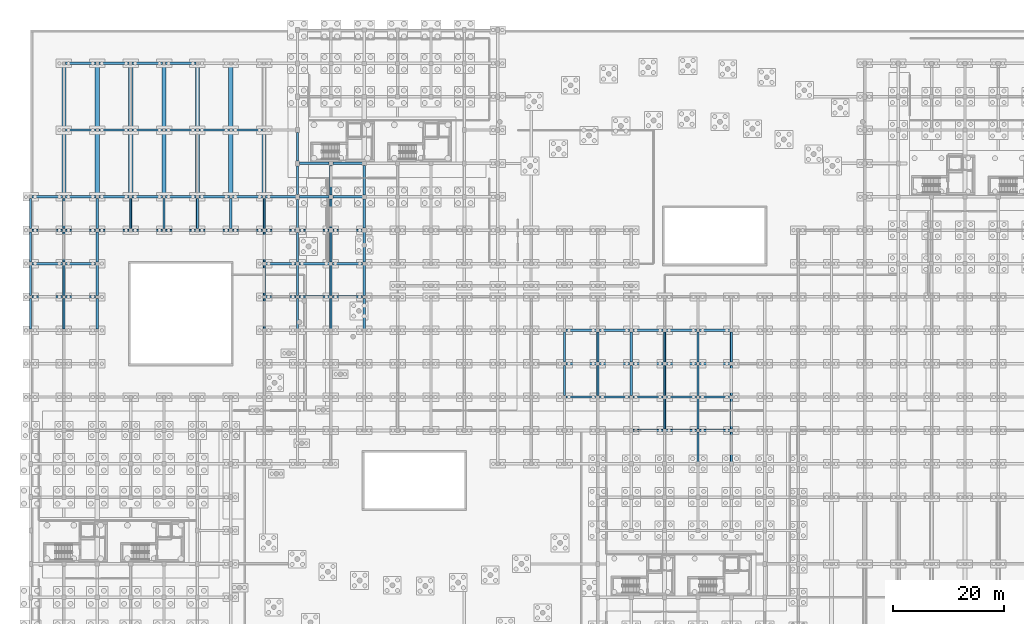
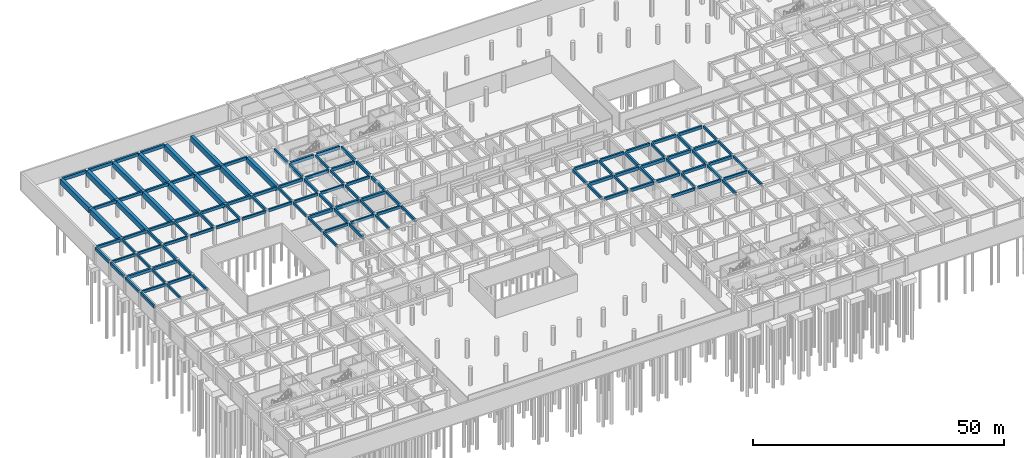
# One storey, part 18 of 41: 126 beams.
"""IFC4 building model written with IfcOpenShell, lengths in metres."""

import ifcopenshell
import ifcopenshell.guid

model = None  # the IFC model being written
_history = None  # IfcOwnerHistory: only IFC2X3 demands one
_inside = {}  # id of a spatial element -> (the spatial element, [elements in it])
_under = {}  # id of a project, library or spatial element -> (it, [spatial elements below it])
_declared = {}  # id of a project -> (the project, [libraries it declares])
_typed = {}  # id of a type object -> (the type object, [elements of that type])
_made_of = {}  # id of a material, layer set ... -> (it, [elements and type objects made of it])


def new_model(schema):
    """Start an empty IFC model of exactly this schema.

    Asked for "IFC4X3", IfcOpenShell would pick the latest addendum, in which some entities
    have other attributes; the version numbers below select the first issue.
    IFC2X3 requires an IfcOwnerHistory on every rooted entity: one is made here for all.
    """
    global model, _history
    if schema == "IFC4X3":
        model = ifcopenshell.file(schema_version=(4, 3, 0, 0))
    else:
        model = ifcopenshell.file(schema=schema)
    _inside.clear()
    _under.clear()
    _declared.clear()
    _typed.clear()
    _made_of.clear()
    _history = None
    if model.schema == "IFC2X3":
        org = make("IfcOrganization", Name="unknown")
        user = make(
            "IfcPersonAndOrganization",
            ThePerson=make("IfcPerson", FamilyName="unknown"),
            TheOrganization=org,
        )
        app = make(
            "IfcApplication",
            ApplicationDeveloper=org,
            Version="unknown",
            ApplicationFullName="unknown",
            ApplicationIdentifier="unknown",
        )
        _history = make(
            "IfcOwnerHistory",
            OwningUser=user,
            OwningApplication=app,
            ChangeAction="ADDED",
            CreationDate=0,
        )
    return model


def make(cls, **values):
    """One entity of the class cls with the attributes given. An attribute that is None is left unset."""
    return model.create_entity(
        cls, **{name: value for name, value in values.items() if value is not None}
    )


def rooted(cls, **values):
    """An entity with a GlobalId (a new one), such as an element, a storey or a relation."""
    return make(cls, GlobalId=ifcopenshell.guid.new(), OwnerHistory=_history, **values)


def si_unit(unit_type, name, prefix=None):
    """IfcSIUnit, for example si_unit("LENGTHUNIT", "METRE", prefix="MILLI")."""
    return make("IfcSIUnit", UnitType=unit_type, Prefix=prefix, Name=name)


def assignment(units):
    """IfcUnitAssignment: the units of a project."""
    return None if units is None else make("IfcUnitAssignment", Units=units)


def point(xyz):
    """IfcCartesianPoint."""
    return None if xyz is None else make("IfcCartesianPoint", Coordinates=xyz)


def direction(xyz):
    """IfcDirection."""
    return None if xyz is None else make("IfcDirection", DirectionRatios=xyz)


def frame(location, z_axis=None, x_axis=None):
    """IfcAxis2Placement3D, a coordinate frame: its origin and axes. An axis left out is left unset."""
    return make(
        "IfcAxis2Placement3D",
        Location=point(location),
        Axis=direction(z_axis),
        RefDirection=direction(x_axis),
    )


def frame_2d(location, x_axis=None):
    """IfcAxis2Placement2D, a coordinate frame in the plane: its origin and x axis."""
    return make(
        "IfcAxis2Placement2D", Location=point(location), RefDirection=direction(x_axis)
    )


def origin():
    """The frame at (0, 0, 0) with its axes left unset."""
    return frame((0.0, 0.0, 0.0))


def origin_2d():
    """The frame at (0, 0) in the plane with its x axis left unset."""
    return frame_2d((0.0, 0.0))


def place(relative_to, where):
    """IfcLocalPlacement: puts the frame where relative to a parent placement (None: the world)."""
    return make(
        "IfcLocalPlacement", PlacementRelTo=relative_to, RelativePlacement=where
    )


def context(
    kind, dimensions, precision=None, world=None, true_north=None, identifier=None
):
    """IfcGeometricRepresentationContext, for example the 3D "Model" context."""
    return make(
        "IfcGeometricRepresentationContext",
        ContextIdentifier=identifier,
        ContextType=kind,
        CoordinateSpaceDimension=dimensions,
        Precision=precision,
        WorldCoordinateSystem=world,
        TrueNorth=true_north,
    )


def subcontext(parent, identifier, kind, view, scale=None):
    """IfcGeometricRepresentationSubContext, for example "Body" below "Model"."""
    return make(
        "IfcGeometricRepresentationSubContext",
        ContextIdentifier=identifier,
        ContextType=kind,
        ParentContext=parent,
        TargetScale=scale,
        TargetView=view,
    )


def project(units=None, contexts=None):
    """IfcProject with its units and contexts."""
    return rooted(
        "IfcProject",
        Name="project",
        RepresentationContexts=contexts,
        UnitsInContext=assignment(units),
    )


def spatial(cls, under=None, at=None, **own):
    """A site, building, storey or space (cls), placed at a placement, below another one or the project."""
    s = rooted(cls, ObjectPlacement=at, **own)
    if under is not None:
        _under.setdefault(under.id(), (under, []))[1].append(s)
    return s


def profile(cls, at=None, kind="AREA", **sizes):
    """A parametric profile (cls). Its sizes go by their IFC names, for example OverallWidth=200.0."""
    return make(cls, ProfileType=kind, Position=at, **sizes)


def rectangle(**sizes):
    """IfcRectangleProfileDef."""
    return profile("IfcRectangleProfileDef", **sizes)


def extrude(swept, where, along, depth):
    """IfcExtrudedAreaSolid: the profile swept, set in the frame where, extruded along a direction by depth."""
    return make(
        "IfcExtrudedAreaSolid",
        SweptArea=swept,
        Position=where,
        ExtrudedDirection=direction(along),
        Depth=depth,
    )


def shape(context_of_items, identifier, shape_type, items):
    """IfcShapeRepresentation: the items that make up one representation, for example the "Body"."""
    return make(
        "IfcShapeRepresentation",
        ContextOfItems=context_of_items,
        RepresentationIdentifier=identifier,
        RepresentationType=shape_type,
        Items=items,
    )


def material(Name=None, Category=None):
    """IfcMaterial."""
    return make("IfcMaterial", Name=Name, Category=Category)


def material_profile(
    of_material, cross_section, Name=None, Category=None, Priority=None
):
    """IfcMaterialProfile: a cross section and its material."""
    return make(
        "IfcMaterialProfile",
        Name=Name,
        Material=of_material,
        Profile=cross_section,
        Priority=Priority,
        Category=Category,
    )


def profile_set(profiles, Name=None, composite=None):
    """IfcMaterialProfileSet."""
    return make(
        "IfcMaterialProfileSet",
        Name=Name,
        MaterialProfiles=profiles,
        CompositeProfile=composite,
    )


def made_of(thing, what):
    """Note that an element or type object is made of a material, layer set ...; save() writes the relation."""
    if what is not None:
        _made_of.setdefault(what.id(), (what, []))[1].append(thing)
    return thing


def type_object(cls, material=None, **own):
    """A type object (cls), such as IfcWallType, which elements share."""
    return made_of(rooted(cls, **own), material)


def element(
    cls,
    number,
    at=None,
    inside=None,
    cuts=None,
    type_object=None,
    material=None,
    context=None,
    identifier="Body",
    shape_type=None,
    held_by="IfcProductDefinitionShape",
    body=None,
    shapes=None,
    **own,
):
    """One element of the class cls, such as IfcWall. Its Tag is "e" and its number.

    at: its placement. inside: the storey or other place that contains it. cuts: it is an
    opening in that element (IfcRelVoidsElement). A single representation is given by context,
    identifier, shape_type and body (its items); several are given by shapes. held_by: the class
    of the entity that holds the representations. save() writes the other relations.
    """
    e = rooted(cls, Tag="e%d" % number, ObjectPlacement=at, **own)
    if body is not None:
        shapes = [shape(context, identifier, shape_type, body)]
    if shapes is not None:
        e.Representation = make(held_by, Representations=shapes)
    if inside is not None:
        _inside.setdefault(inside.id(), (inside, []))[1].append(e)
    if cuts is not None:
        rooted(
            "IfcRelVoidsElement", RelatingBuildingElement=cuts, RelatedOpeningElement=e
        )
    if type_object is not None:
        _typed.setdefault(type_object.id(), (type_object, []))[1].append(e)
    return made_of(e, material)


def aggregate(whole, parts):
    """IfcRelAggregates: a whole, such as a stair, and the parts it consists of."""
    return rooted("IfcRelAggregates", RelatingObject=whole, RelatedObjects=parts)


def save(model, path):
    """Write the relations noted so far, then the file.

    IfcRelAggregates (storeys below a building ...), IfcRelContainedInSpatialStructure (elements
    in a storey), IfcRelDefinesByType, IfcRelAssociatesMaterial and IfcRelDeclares: one each for
    every whole, place, type object, material and project.
    """
    for whole, parts in _under.values():
        aggregate(whole, parts)
    for where, things in _inside.values():
        rooted(
            "IfcRelContainedInSpatialStructure",
            RelatedElements=things,
            RelatingStructure=where,
        )
    for kind, things in _typed.values():
        rooted("IfcRelDefinesByType", RelatedObjects=things, RelatingType=kind)
    for what, things in _made_of.values():
        rooted("IfcRelAssociatesMaterial", RelatedObjects=things, RelatingMaterial=what)
    for by, libraries in _declared.values():
        rooted("IfcRelDeclares", RelatingContext=by, RelatedDefinitions=libraries)
    model.write(path)


model = new_model("IFC4")

# Units and contexts
model_context = context("Model", 3, precision=1e-05, world=origin(), true_north=direction((0.0, 1.0)))
body_context = subcontext(model_context, "Body", "Model", "MODEL_VIEW")
ifc_project = project(units=[si_unit("LENGTHUNIT", "METRE"), si_unit("AREAUNIT", "SQUARE_METRE"), si_unit("VOLUMEUNIT", "CUBIC_METRE"), si_unit("PLANEANGLEUNIT", "RADIAN"), si_unit("MASSUNIT", "GRAM", prefix="KILO"), si_unit("POWERUNIT", "WATT"), si_unit("THERMODYNAMICTEMPERATUREUNIT", "KELVIN")], contexts=[model_context])

# Site, building, storey
site_placement = place(None, origin())
site = spatial("IfcSite", under=ifc_project, at=site_placement, CompositionType="ELEMENT")
building_placement = place(site_placement, origin())
building = spatial("IfcBuilding", under=site, at=building_placement, Name="Ruvembo Vaulted Housing Court", CompositionType="ELEMENT")
storey_placement = place(building_placement, frame((0.0, 0.0, -4.5)))
storey = spatial("IfcBuildingStorey", under=building, at=storey_placement, Name="B1", CompositionType="ELEMENT", Elevation=-4.5)

# Beams
ifc_material_1 = material(Name="Concrete C35/45", Category="concrete")
ifc_material_profile_1 = material_profile(ifc_material_1, rectangle(XDim=0.35009765625, YDim=0.60009765625, at=origin_2d()), Name="RC 350x600")
ifc_profile_set_1 = profile_set([ifc_material_profile_1], Name="Concrete C35/45")
beam_type_1 = type_object("IfcBeamType", Name="BM-RC-350x600", PredefinedType="BEAM", material=ifc_profile_set_1)
beam_1_placement = place(storey_placement, frame((6.0, 60.235107421875, 3.9150390625), z_axis=(0.0, 1.0, 0.0), x_axis=(-1.0, 0.0, 0.0)))
element("IfcBeam", 1, at=beam_1_placement, inside=storey, type_object=beam_type_1, Name="B1 Grid Beam Y #398", PredefinedType="BEAM", context=body_context, shape_type="SweptSolid", body=[
    extrude(rectangle(XDim=0.35009765625, YDim=0.60009765625, at=origin_2d()), origin(), (0.0, 0.0, 1.0), 5.47998046875),
])
for number, where, z_axis, x_axis, name in (
    (2, (6.0, 66.284912109375, 3.9150390625), (0.0, 1.0, 0.0), (-1.0, 0.0, 0.0), "B1 Grid Beam Y #399"),
    (3, (6.0, 72.284912109375, 3.9150390625), (0.0, 1.0, 0.0), (-1.0, 0.0, 0.0), "B1 Grid Beam Y #400"),
):
    element("IfcBeam", number, at=place(storey_placement, frame(where, z_axis=z_axis, x_axis=x_axis)), inside=storey, type_object=beam_type_1, Name=name, PredefinedType="BEAM", context=body_context, shape_type="SweptSolid", body=[
        extrude(rectangle(XDim=0.35009765625, YDim=0.60009765625, at=origin_2d()), origin(), (0.0, 0.0, 1.0), 5.43017578125),
    ])
for number, where, z_axis, x_axis, name in (
    (4, (6.0, 78.284912109375, 3.9150390625), (0.0, 1.0, 0.0), (-1.0, 0.0, 0.0), "B1 Grid Beam Y #401"),
    (5, (18.0, 78.284912109375, 3.9150390625), (0.0, 1.0, 0.0), (-1.0, 0.0, 0.0), "B1 Grid Beam Y #423"),
    (6, (30.0, 78.284912109375, 3.9150390625), (0.0, 1.0, 0.0), (-1.0, 0.0, 0.0), "B1 Grid Beam Y #441"),
):
    element("IfcBeam", number, at=place(storey_placement, frame(where, z_axis=z_axis, x_axis=x_axis)), inside=storey, type_object=beam_type_1, Name=name, PredefinedType="BEAM", context=body_context, shape_type="SweptSolid", body=[
        extrude(rectangle(XDim=0.35009765625, YDim=0.60009765625, at=origin_2d()), origin(), (0.0, 0.0, 1.0), 5.455078125),
    ])
for number, where, z_axis, x_axis, name in (
    (7, (42.0, 60.284912109375, 3.9150390625), (0.0, 1.0, 0.0), (-1.0, 0.0, 0.0), "B1 Grid Beam Y #458"),
    (8, (42.0, 66.284912109375, 3.9150390625), (0.0, 1.0, 0.0), (-1.0, 0.0, 0.0), "B1 Grid Beam Y #459"),
    (9, (42.0, 72.284912109375, 3.9150390625), (0.0, 1.0, 0.0), (-1.0, 0.0, 0.0), "B1 Grid Beam Y #460"),
):
    element("IfcBeam", number, at=place(storey_placement, frame(where, z_axis=z_axis, x_axis=x_axis)), inside=storey, type_object=beam_type_1, Name=name, PredefinedType="BEAM", context=body_context, shape_type="SweptSolid", body=[
        extrude(rectangle(XDim=0.35009765625, YDim=0.60009765625, at=origin_2d()), origin(), (0.0, 0.0, 1.0), 5.43017578125),
    ])
beam_2_placement = place(storey_placement, frame((42.0, 78.284912109375, 3.9150390625), z_axis=(0.0, 1.0, 0.0), x_axis=(-1.0, 0.0, 0.0)))
element("IfcBeam", 10, at=beam_2_placement, inside=storey, type_object=beam_type_1, Name="B1 Grid Beam Y #461", PredefinedType="BEAM", context=body_context, shape_type="SweptSolid", body=[
    extrude(rectangle(XDim=0.35009765625, YDim=0.60009765625, at=origin_2d()), origin(), (0.0, 0.0, 1.0), 5.455078125),
])
for number, where, z_axis, x_axis, name in (
    (11, (54.0, 60.284912109375, 3.9150390625), (0.0, 1.0, 0.0), (-1.0, 0.0, 0.0), "B1 Grid Beam Y #481"),
    (12, (54.0, 66.284912109375, 3.9150390625), (0.0, 1.0, 0.0), (-1.0, 0.0, 0.0), "B1 Grid Beam Y #482"),
):
    element("IfcBeam", number, at=place(storey_placement, frame(where, z_axis=z_axis, x_axis=x_axis)), inside=storey, type_object=beam_type_1, Name=name, PredefinedType="BEAM", context=body_context, shape_type="SweptSolid", body=[
        extrude(rectangle(XDim=0.35009765625, YDim=0.60009765625, at=origin_2d()), origin(), (0.0, 0.0, 1.0), 5.43017578125),
    ])
beam_3_placement = place(storey_placement, frame((54.0, 72.284912109375, 3.9150390625), z_axis=(0.0, 1.0, 0.0), x_axis=(-1.0, 0.0, 0.0)))
element("IfcBeam", 13, at=beam_3_placement, inside=storey, type_object=beam_type_1, Name="B1 Grid Beam Y #483", PredefinedType="BEAM", context=body_context, shape_type="SweptSolid", body=[
    extrude(rectangle(XDim=0.35009765625, YDim=0.60009765625, at=origin_2d()), origin(), (0.0, 0.0, 1.0), 5.35498046875),
])
for number, where, z_axis, x_axis, name in (
    (14, (54.0, 78.360107421875, 3.9150390625), (0.0, 1.0, 0.0), (-1.0, 0.0, 0.0), "B1 Grid Beam Y #484"),
    (15, (54.0, 84.360107421875, 3.9150390625), (0.0, 1.0, 0.0), (-1.0, 0.0, 0.0), "B1 Grid Beam Y #485"),
):
    element("IfcBeam", number, at=place(storey_placement, frame(where, z_axis=z_axis, x_axis=x_axis)), inside=storey, type_object=beam_type_1, Name=name, PredefinedType="BEAM", context=body_context, shape_type="SweptSolid", body=[
        extrude(rectangle(XDim=0.35009765625, YDim=0.60009765625, at=origin_2d()), origin(), (0.0, 0.0, 1.0), 5.27978515625),
    ])
for number, where, z_axis, x_axis, name in (
    (16, (102.0, 48.284912109375, 3.9150390625), (0.0, 1.0, 0.0), (-1.0, 0.0, 0.0), "B1 Grid Beam Y #560"),
    (17, (102.0, 54.284912109375, 3.9150390625), (0.0, 1.0, 0.0), (-1.0, 0.0, 0.0), "B1 Grid Beam Y #561"),
    (18, (114.0, 42.284912109375, 3.9150390625), (0.0, 1.0, 0.0), (-1.0, 0.0, 0.0), "B1 Grid Beam Y #580"),
    (19, (114.0, 48.284912109375, 3.9150390625), (0.0, 1.0, 0.0), (-1.0, 0.0, 0.0), "B1 Grid Beam Y #581"),
    (20, (114.0, 54.284912109375, 3.9150390625), (0.0, 1.0, 0.0), (-1.0, 0.0, 0.0), "B1 Grid Beam Y #582"),
):
    element("IfcBeam", number, at=place(storey_placement, frame(where, z_axis=z_axis, x_axis=x_axis)), inside=storey, type_object=beam_type_1, Name=name, PredefinedType="BEAM", context=body_context, shape_type="SweptSolid", body=[
        extrude(rectangle(XDim=0.35009765625, YDim=0.60009765625, at=origin_2d()), origin(), (0.0, 0.0, 1.0), 5.43017578125),
    ])
beam_4_placement = place(storey_placement, frame((126.0, 36.360107421875, 3.9150390625), z_axis=(0.0, 1.0, 0.0), x_axis=(-1.0, 0.0, 0.0)))
element("IfcBeam", 21, at=beam_4_placement, inside=storey, type_object=beam_type_1, Name="B1 Grid Beam Y #597", PredefinedType="BEAM", context=body_context, shape_type="SweptSolid", body=[
    extrude(rectangle(XDim=0.35009765625, YDim=0.60009765625, at=origin_2d()), origin(), (0.0, 0.0, 1.0), 5.35498046875),
])
for number, where, z_axis, x_axis, name in (
    (22, (126.0, 42.284912109375, 3.9150390625), (0.0, 1.0, 0.0), (-1.0, 0.0, 0.0), "B1 Grid Beam Y #598"),
    (23, (126.0, 48.284912109375, 3.9150390625), (0.0, 1.0, 0.0), (-1.0, 0.0, 0.0), "B1 Grid Beam Y #599"),
    (24, (126.0, 54.284912109375, 3.9150390625), (0.0, 1.0, 0.0), (-1.0, 0.0, 0.0), "B1 Grid Beam Y #600"),
):
    element("IfcBeam", number, at=place(storey_placement, frame(where, z_axis=z_axis, x_axis=x_axis)), inside=storey, type_object=beam_type_1, Name=name, PredefinedType="BEAM", context=body_context, shape_type="SweptSolid", body=[
        extrude(rectangle(XDim=0.35009765625, YDim=0.60009765625, at=origin_2d()), origin(), (0.0, 0.0, 1.0), 5.43017578125),
    ])
ifc_material_profile_2 = material_profile(ifc_material_1, rectangle(XDim=0.35009765625, YDim=0.64990234375, at=origin_2d()), Name="RC 350x650")
ifc_profile_set_2 = profile_set([ifc_material_profile_2], Name="Concrete C35/45")
beam_type_2 = type_object("IfcBeamType", Name="BM-RC-350x650", PredefinedType="BEAM", material=ifc_profile_set_2)
beam_5_placement = place(storey_placement, frame((108.31005859375, 42.0, 3.889892578125), z_axis=(1.0, 0.0, 0.0), x_axis=(0.0, 1.0, 0.0)))
element("IfcBeam", 25, at=beam_5_placement, inside=storey, type_object=beam_type_2, Name="B1 Grid Beam X #125", PredefinedType="BEAM", context=body_context, shape_type="SweptSolid", body=[
    extrude(rectangle(XDim=0.35009765625, YDim=0.64990234375, at=origin_2d()), origin(), (0.0, 0.0, 1.0), 5.405029296875),
])
for number, where, z_axis, x_axis, name in (
    (26, (114.284912109375, 42.0, 3.889892578125), (1.0, 0.0, 0.0), (0.0, 1.0, 0.0), "B1 Grid Beam X #126"),
    (27, (120.284912109375, 42.0, 3.889892578125), (1.0, 0.0, 0.0), (0.0, 1.0, 0.0), "B1 Grid Beam X #127"),
    (28, (0.284912109375, 66.0, 3.889892578125), (1.0, 0.0, 0.0), (0.0, 1.0, 0.0), "B1 Grid Beam X #221"),
    (29, (6.284912109375, 66.0, 3.889892578125), (1.0, 0.0, 0.0), (0.0, 1.0, 0.0), "B1 Grid Beam X #222"),
    (30, (42.284912109375, 66.0, 3.889892578125), (1.0, 0.0, 0.0), (0.0, 1.0, 0.0), "B1 Grid Beam X #223"),
    (31, (48.284912109375, 66.0, 3.889892578125), (1.0, 0.0, 0.0), (0.0, 1.0, 0.0), "B1 Grid Beam X #224"),
    (32, (54.284912109375, 66.0, 3.889892578125), (1.0, 0.0, 0.0), (0.0, 1.0, 0.0), "B1 Grid Beam X #225"),
    (33, (0.284912109375, 78.0, 3.889892578125), (1.0, 0.0, 0.0), (0.0, 1.0, 0.0), "B1 Grid Beam X #274"),
    (34, (6.284912109375, 78.0, 3.889892578125), (1.0, 0.0, 0.0), (0.0, 1.0, 0.0), "B1 Grid Beam X #275"),
    (35, (12.284912109375, 78.0, 3.889892578125), (1.0, 0.0, 0.0), (0.0, 1.0, 0.0), "B1 Grid Beam X #276"),
    (36, (18.284912109375, 78.0, 3.889892578125), (1.0, 0.0, 0.0), (0.0, 1.0, 0.0), "B1 Grid Beam X #277"),
    (37, (24.284912109375, 78.0, 3.889892578125), (1.0, 0.0, 0.0), (0.0, 1.0, 0.0), "B1 Grid Beam X #278"),
    (38, (30.284912109375, 78.0, 3.889892578125), (1.0, 0.0, 0.0), (0.0, 1.0, 0.0), "B1 Grid Beam X #279"),
    (39, (36.284912109375, 78.0, 3.889892578125), (1.0, 0.0, 0.0), (0.0, 1.0, 0.0), "B1 Grid Beam X #280"),
):
    element("IfcBeam", number, at=place(storey_placement, frame(where, z_axis=z_axis, x_axis=x_axis)), inside=storey, type_object=beam_type_2, Name=name, PredefinedType="BEAM", context=body_context, shape_type="SweptSolid", body=[
        extrude(rectangle(XDim=0.35009765625, YDim=0.64990234375, at=origin_2d()), origin(), (0.0, 0.0, 1.0), 5.43017578125),
    ])
beam_6_placement = place(storey_placement, frame((42.284912109375, 78.0, 3.889892578125), z_axis=(1.0, 0.0, 0.0), x_axis=(0.0, 1.0, 0.0)))
element("IfcBeam", 40, at=beam_6_placement, inside=storey, type_object=beam_type_2, Name="B1 Grid Beam X #281", PredefinedType="BEAM", context=body_context, shape_type="SweptSolid", body=[
    extrude(rectangle(XDim=0.35009765625, YDim=0.64990234375, at=origin_2d()), origin(), (0.0, 0.0, 1.0), 5.405029296875),
])
beam_7_placement = place(storey_placement, frame((48.31005859375, 78.0, 3.889892578125), z_axis=(1.0, 0.0, 0.0), x_axis=(0.0, 1.0, 0.0)))
element("IfcBeam", 41, at=beam_7_placement, inside=storey, type_object=beam_type_2, Name="B1 Grid Beam X #282", PredefinedType="BEAM", context=body_context, shape_type="SweptSolid", body=[
    extrude(rectangle(XDim=0.35009765625, YDim=0.64990234375, at=origin_2d()), origin(), (0.0, 0.0, 1.0), 5.329833984375),
])
beam_8_placement = place(storey_placement, frame((54.360107421875, 78.0, 3.889892578125), z_axis=(1.0, 0.0, 0.0), x_axis=(0.0, 1.0, 0.0)))
element("IfcBeam", 42, at=beam_8_placement, inside=storey, type_object=beam_type_2, Name="B1 Grid Beam X #283", PredefinedType="BEAM", context=body_context, shape_type="SweptSolid", body=[
    extrude(rectangle(XDim=0.35009765625, YDim=0.64990234375, at=origin_2d()), origin(), (0.0, 0.0, 1.0), 5.27978515625),
])
ifc_material_profile_3 = material_profile(ifc_material_1, rectangle(XDim=0.39990234375, YDim=0.699951171875, at=origin_2d()), Name="RC 400x700")
ifc_profile_set_3 = profile_set([ifc_material_profile_3], Name="Concrete C35/45")
beam_type_3 = type_object("IfcBeamType", Name="BM-RC-400x700", PredefinedType="BEAM", material=ifc_profile_set_3)
beam_9_placement = place(storey_placement, frame((96.284912109375, 48.0, 3.864990234375), z_axis=(1.0, 0.0, 0.0), x_axis=(0.0, 1.0, 0.0)))
element("IfcBeam", 43, at=beam_9_placement, inside=storey, type_object=beam_type_3, Name="B1 Grid Beam X #154", PredefinedType="BEAM", context=body_context, shape_type="SweptSolid", body=[
    extrude(rectangle(XDim=0.39990234375, YDim=0.699951171875, at=origin_2d()), origin(), (0.0, 0.0, 1.0), 5.43017578125),
])
for number, where, z_axis, x_axis, name in (
    (44, (102.284912109375, 48.0, 3.864990234375), (1.0, 0.0, 0.0), (0.0, 1.0, 0.0), "B1 Grid Beam X #155"),
    (45, (108.31005859375, 48.0, 3.864990234375), (1.0, 0.0, 0.0), (0.0, 1.0, 0.0), "B1 Grid Beam X #156"),
):
    element("IfcBeam", number, at=place(storey_placement, frame(where, z_axis=z_axis, x_axis=x_axis)), inside=storey, type_object=beam_type_3, Name=name, PredefinedType="BEAM", context=body_context, shape_type="SweptSolid", body=[
        extrude(rectangle(XDim=0.39990234375, YDim=0.699951171875, at=origin_2d()), origin(), (0.0, 0.0, 1.0), 5.405029296875),
    ])
for number, where, z_axis, x_axis, name in (
    (46, (114.284912109375, 48.0, 3.864990234375), (1.0, 0.0, 0.0), (0.0, 1.0, 0.0), "B1 Grid Beam X #157"),
    (47, (120.284912109375, 48.0, 3.864990234375), (1.0, 0.0, 0.0), (0.0, 1.0, 0.0), "B1 Grid Beam X #158"),
    (48, (96.284912109375, 60.0, 3.864990234375), (1.0, 0.0, 0.0), (0.0, 1.0, 0.0), "B1 Grid Beam X #206"),
):
    element("IfcBeam", number, at=place(storey_placement, frame(where, z_axis=z_axis, x_axis=x_axis)), inside=storey, type_object=beam_type_3, Name=name, PredefinedType="BEAM", context=body_context, shape_type="SweptSolid", body=[
        extrude(rectangle(XDim=0.39990234375, YDim=0.699951171875, at=origin_2d()), origin(), (0.0, 0.0, 1.0), 5.43017578125),
    ])
for number, where, z_axis, x_axis, name in (
    (49, (102.284912109375, 60.0, 3.864990234375), (1.0, 0.0, 0.0), (0.0, 1.0, 0.0), "B1 Grid Beam X #207"),
    (50, (108.31005859375, 60.0, 3.864990234375), (1.0, 0.0, 0.0), (0.0, 1.0, 0.0), "B1 Grid Beam X #208"),
):
    element("IfcBeam", number, at=place(storey_placement, frame(where, z_axis=z_axis, x_axis=x_axis)), inside=storey, type_object=beam_type_3, Name=name, PredefinedType="BEAM", context=body_context, shape_type="SweptSolid", body=[
        extrude(rectangle(XDim=0.39990234375, YDim=0.699951171875, at=origin_2d()), origin(), (0.0, 0.0, 1.0), 5.405029296875),
    ])
for number, where, z_axis, x_axis, name in (
    (51, (114.284912109375, 60.0, 3.864990234375), (1.0, 0.0, 0.0), (0.0, 1.0, 0.0), "B1 Grid Beam X #209"),
    (52, (120.284912109375, 60.0, 3.864990234375), (1.0, 0.0, 0.0), (0.0, 1.0, 0.0), "B1 Grid Beam X #210"),
):
    element("IfcBeam", number, at=place(storey_placement, frame(where, z_axis=z_axis, x_axis=x_axis)), inside=storey, type_object=beam_type_3, Name=name, PredefinedType="BEAM", context=body_context, shape_type="SweptSolid", body=[
        extrude(rectangle(XDim=0.39990234375, YDim=0.699951171875, at=origin_2d()), origin(), (0.0, 0.0, 1.0), 5.43017578125),
    ])
beam_10_placement = place(storey_placement, frame((0.284912109375, 84.0, 3.864990234375), z_axis=(1.0, 0.0, 0.0), x_axis=(0.0, 1.0, 0.0)))
element("IfcBeam", 53, at=beam_10_placement, inside=storey, type_object=beam_type_3, Name="B1 Grid Beam X #300", PredefinedType="BEAM", context=body_context, shape_type="SweptSolid", body=[
    extrude(rectangle(XDim=0.39990234375, YDim=0.699951171875, at=origin_2d()), origin(), (0.0, 0.0, 1.0), 5.455078125),
])
for number, where, z_axis, x_axis, name in (
    (54, (6.260009765625, 84.0, 3.864990234375), (1.0, 0.0, 0.0), (0.0, 1.0, 0.0), "B1 Grid Beam X #301"),
    (55, (12.260009765625, 84.0, 3.864990234375), (1.0, 0.0, 0.0), (0.0, 1.0, 0.0), "B1 Grid Beam X #302"),
    (56, (18.260009765625, 84.0, 3.864990234375), (1.0, 0.0, 0.0), (0.0, 1.0, 0.0), "B1 Grid Beam X #303"),
    (57, (24.260009765625, 84.0, 3.864990234375), (1.0, 0.0, 0.0), (0.0, 1.0, 0.0), "B1 Grid Beam X #304"),
    (58, (30.260009765625, 84.0, 3.864990234375), (1.0, 0.0, 0.0), (0.0, 1.0, 0.0), "B1 Grid Beam X #305"),
    (59, (36.260009765625, 84.0, 3.864990234375), (1.0, 0.0, 0.0), (0.0, 1.0, 0.0), "B1 Grid Beam X #306"),
):
    element("IfcBeam", number, at=place(storey_placement, frame(where, z_axis=z_axis, x_axis=x_axis)), inside=storey, type_object=beam_type_3, Name=name, PredefinedType="BEAM", context=body_context, shape_type="SweptSolid", body=[
        extrude(rectangle(XDim=0.39990234375, YDim=0.699951171875, at=origin_2d()), origin(), (0.0, 0.0, 1.0), 5.47998046875),
    ])
beam_11_placement = place(storey_placement, frame((42.260009765625, 84.0, 3.864990234375), z_axis=(1.0, 0.0, 0.0), x_axis=(0.0, 1.0, 0.0)))
element("IfcBeam", 60, at=beam_11_placement, inside=storey, type_object=beam_type_3, Name="B1 Grid Beam X #307", PredefinedType="BEAM", context=body_context, shape_type="SweptSolid", body=[
    extrude(rectangle(XDim=0.39990234375, YDim=0.699951171875, at=origin_2d()), origin(), (0.0, 0.0, 1.0), 5.429931640625),
])
beam_12_placement = place(storey_placement, frame((48.31005859375, 84.0, 3.864990234375), z_axis=(1.0, 0.0, 0.0), x_axis=(0.0, 1.0, 0.0)))
element("IfcBeam", 61, at=beam_12_placement, inside=storey, type_object=beam_type_3, Name="B1 Grid Beam X #308", PredefinedType="BEAM", context=body_context, shape_type="SweptSolid", body=[
    extrude(rectangle(XDim=0.39990234375, YDim=0.699951171875, at=origin_2d()), origin(), (0.0, 0.0, 1.0), 5.329833984375),
])
beam_13_placement = place(storey_placement, frame((54.360107421875, 84.0, 3.864990234375), z_axis=(1.0, 0.0, 0.0), x_axis=(0.0, 1.0, 0.0)))
element("IfcBeam", 62, at=beam_13_placement, inside=storey, type_object=beam_type_3, Name="B1 Grid Beam X #309", PredefinedType="BEAM", context=body_context, shape_type="SweptSolid", body=[
    extrude(rectangle(XDim=0.39990234375, YDim=0.699951171875, at=origin_2d()), origin(), (0.0, 0.0, 1.0), 5.27978515625),
])
for number, where, z_axis, x_axis, name in (
    (63, (6.260009765625, 96.0, 3.864990234375), (1.0, 0.0, 0.0), (0.0, 1.0, 0.0), "B1 Grid Beam X #327"),
    (64, (12.260009765625, 96.0, 3.864990234375), (1.0, 0.0, 0.0), (0.0, 1.0, 0.0), "B1 Grid Beam X #328"),
    (65, (18.260009765625, 96.0, 3.864990234375), (1.0, 0.0, 0.0), (0.0, 1.0, 0.0), "B1 Grid Beam X #329"),
    (66, (24.260009765625, 96.0, 3.864990234375), (1.0, 0.0, 0.0), (0.0, 1.0, 0.0), "B1 Grid Beam X #330"),
    (67, (30.260009765625, 96.0, 3.864990234375), (1.0, 0.0, 0.0), (0.0, 1.0, 0.0), "B1 Grid Beam X #331"),
    (68, (36.260009765625, 96.0, 3.864990234375), (1.0, 0.0, 0.0), (0.0, 1.0, 0.0), "B1 Grid Beam X #332"),
    (69, (0.0, 60.235107421875, 3.864990234375), (0.0, 1.0, 0.0), (-1.0, 0.0, 0.0), "B1 Grid Beam Y #387"),
):
    element("IfcBeam", number, at=place(storey_placement, frame(where, z_axis=z_axis, x_axis=x_axis)), inside=storey, type_object=beam_type_3, Name=name, PredefinedType="BEAM", context=body_context, shape_type="SweptSolid", body=[
        extrude(rectangle(XDim=0.39990234375, YDim=0.699951171875, at=origin_2d()), origin(), (0.0, 0.0, 1.0), 5.47998046875),
    ])
for number, where, z_axis, x_axis, name in (
    (70, (0.0, 66.284912109375, 3.864990234375), (0.0, 1.0, 0.0), (-1.0, 0.0, 0.0), "B1 Grid Beam Y #388"),
    (71, (0.0, 72.284912109375, 3.864990234375), (0.0, 1.0, 0.0), (-1.0, 0.0, 0.0), "B1 Grid Beam Y #389"),
    (72, (0.0, 78.284912109375, 3.864990234375), (0.0, 1.0, 0.0), (-1.0, 0.0, 0.0), "B1 Grid Beam Y #390"),
):
    element("IfcBeam", number, at=place(storey_placement, frame(where, z_axis=z_axis, x_axis=x_axis)), inside=storey, type_object=beam_type_3, Name=name, PredefinedType="BEAM", context=body_context, shape_type="SweptSolid", body=[
        extrude(rectangle(XDim=0.39990234375, YDim=0.699951171875, at=origin_2d()), origin(), (0.0, 0.0, 1.0), 5.43017578125),
    ])
beam_14_placement = place(storey_placement, frame((12.0, 60.235107421875, 3.864990234375), z_axis=(0.0, 1.0, 0.0), x_axis=(-1.0, 0.0, 0.0)))
element("IfcBeam", 73, at=beam_14_placement, inside=storey, type_object=beam_type_3, Name="B1 Grid Beam Y #412", PredefinedType="BEAM", context=body_context, shape_type="SweptSolid", body=[
    extrude(rectangle(XDim=0.39990234375, YDim=0.699951171875, at=origin_2d()), origin(), (0.0, 0.0, 1.0), 5.47998046875),
])
for number, where, z_axis, x_axis, name in (
    (74, (12.0, 66.284912109375, 3.864990234375), (0.0, 1.0, 0.0), (-1.0, 0.0, 0.0), "B1 Grid Beam Y #413"),
    (75, (12.0, 72.284912109375, 3.864990234375), (0.0, 1.0, 0.0), (-1.0, 0.0, 0.0), "B1 Grid Beam Y #414"),
):
    element("IfcBeam", number, at=place(storey_placement, frame(where, z_axis=z_axis, x_axis=x_axis)), inside=storey, type_object=beam_type_3, Name=name, PredefinedType="BEAM", context=body_context, shape_type="SweptSolid", body=[
        extrude(rectangle(XDim=0.39990234375, YDim=0.699951171875, at=origin_2d()), origin(), (0.0, 0.0, 1.0), 5.43017578125),
    ])
for number, where, z_axis, x_axis, name in (
    (76, (12.0, 78.284912109375, 3.864990234375), (0.0, 1.0, 0.0), (-1.0, 0.0, 0.0), "B1 Grid Beam Y #415"),
    (77, (24.0, 78.284912109375, 3.864990234375), (0.0, 1.0, 0.0), (-1.0, 0.0, 0.0), "B1 Grid Beam Y #431"),
    (78, (36.0, 78.284912109375, 3.864990234375), (0.0, 1.0, 0.0), (-1.0, 0.0, 0.0), "B1 Grid Beam Y #451"),
):
    element("IfcBeam", number, at=place(storey_placement, frame(where, z_axis=z_axis, x_axis=x_axis)), inside=storey, type_object=beam_type_3, Name=name, PredefinedType="BEAM", context=body_context, shape_type="SweptSolid", body=[
        extrude(rectangle(XDim=0.39990234375, YDim=0.699951171875, at=origin_2d()), origin(), (0.0, 0.0, 1.0), 5.455078125),
    ])
for number, where, z_axis, x_axis, name in (
    (79, (48.0, 60.284912109375, 3.864990234375), (0.0, 1.0, 0.0), (-1.0, 0.0, 0.0), "B1 Grid Beam Y #468"),
    (80, (48.0, 66.284912109375, 3.864990234375), (0.0, 1.0, 0.0), (-1.0, 0.0, 0.0), "B1 Grid Beam Y #469"),
):
    element("IfcBeam", number, at=place(storey_placement, frame(where, z_axis=z_axis, x_axis=x_axis)), inside=storey, type_object=beam_type_3, Name=name, PredefinedType="BEAM", context=body_context, shape_type="SweptSolid", body=[
        extrude(rectangle(XDim=0.39990234375, YDim=0.699951171875, at=origin_2d()), origin(), (0.0, 0.0, 1.0), 5.43017578125),
    ])
beam_15_placement = place(storey_placement, frame((48.0, 72.284912109375, 3.864990234375), z_axis=(0.0, 1.0, 0.0), x_axis=(-1.0, 0.0, 0.0)))
element("IfcBeam", 81, at=beam_15_placement, inside=storey, type_object=beam_type_3, Name="B1 Grid Beam Y #470", PredefinedType="BEAM", context=body_context, shape_type="SweptSolid", body=[
    extrude(rectangle(XDim=0.39990234375, YDim=0.699951171875, at=origin_2d()), origin(), (0.0, 0.0, 1.0), 5.280029296875),
])
for number, where, z_axis, x_axis, name in (
    (82, (48.0, 78.43505859375, 3.864990234375), (0.0, 1.0, 0.0), (-1.0, 0.0, 0.0), "B1 Grid Beam Y #471"),
    (83, (48.0, 84.43505859375, 3.864990234375), (0.0, 1.0, 0.0), (-1.0, 0.0, 0.0), "B1 Grid Beam Y #472"),
    (84, (48.0, 90.43505859375, 3.864990234375), (0.0, 1.0, 0.0), (-1.0, 0.0, 0.0), "B1 Grid Beam Y #473"),
):
    element("IfcBeam", number, at=place(storey_placement, frame(where, z_axis=z_axis, x_axis=x_axis)), inside=storey, type_object=beam_type_3, Name=name, PredefinedType="BEAM", context=body_context, shape_type="SweptSolid", body=[
        extrude(rectangle(XDim=0.39990234375, YDim=0.699951171875, at=origin_2d()), origin(), (0.0, 0.0, 1.0), 5.1298828125),
    ])
for number, where, z_axis, x_axis, name in (
    (85, (60.0, 60.284912109375, 3.864990234375), (0.0, 1.0, 0.0), (-1.0, 0.0, 0.0), "B1 Grid Beam Y #491"),
    (86, (60.0, 66.284912109375, 3.864990234375), (0.0, 1.0, 0.0), (-1.0, 0.0, 0.0), "B1 Grid Beam Y #492"),
):
    element("IfcBeam", number, at=place(storey_placement, frame(where, z_axis=z_axis, x_axis=x_axis)), inside=storey, type_object=beam_type_3, Name=name, PredefinedType="BEAM", context=body_context, shape_type="SweptSolid", body=[
        extrude(rectangle(XDim=0.39990234375, YDim=0.699951171875, at=origin_2d()), origin(), (0.0, 0.0, 1.0), 5.43017578125),
    ])
beam_16_placement = place(storey_placement, frame((60.0, 72.284912109375, 3.864990234375), z_axis=(0.0, 1.0, 0.0), x_axis=(-1.0, 0.0, 0.0)))
element("IfcBeam", 87, at=beam_16_placement, inside=storey, type_object=beam_type_3, Name="B1 Grid Beam Y #493", PredefinedType="BEAM", context=body_context, shape_type="SweptSolid", body=[
    extrude(rectangle(XDim=0.39990234375, YDim=0.699951171875, at=origin_2d()), origin(), (0.0, 0.0, 1.0), 5.35498046875),
])
for number, where, z_axis, x_axis, name in (
    (88, (60.0, 78.360107421875, 3.864990234375), (0.0, 1.0, 0.0), (-1.0, 0.0, 0.0), "B1 Grid Beam Y #494"),
    (89, (60.0, 84.360107421875, 3.864990234375), (0.0, 1.0, 0.0), (-1.0, 0.0, 0.0), "B1 Grid Beam Y #495"),
):
    element("IfcBeam", number, at=place(storey_placement, frame(where, z_axis=z_axis, x_axis=x_axis)), inside=storey, type_object=beam_type_3, Name=name, PredefinedType="BEAM", context=body_context, shape_type="SweptSolid", body=[
        extrude(rectangle(XDim=0.39990234375, YDim=0.699951171875, at=origin_2d()), origin(), (0.0, 0.0, 1.0), 5.27978515625),
    ])
for number, where, z_axis, x_axis, name in (
    (90, (96.0, 48.284912109375, 3.864990234375), (0.0, 1.0, 0.0), (-1.0, 0.0, 0.0), "B1 Grid Beam Y #548"),
    (91, (96.0, 54.284912109375, 3.864990234375), (0.0, 1.0, 0.0), (-1.0, 0.0, 0.0), "B1 Grid Beam Y #549"),
):
    element("IfcBeam", number, at=place(storey_placement, frame(where, z_axis=z_axis, x_axis=x_axis)), inside=storey, type_object=beam_type_3, Name=name, PredefinedType="BEAM", context=body_context, shape_type="SweptSolid", body=[
        extrude(rectangle(XDim=0.39990234375, YDim=0.699951171875, at=origin_2d()), origin(), (0.0, 0.0, 1.0), 5.43017578125),
    ])
for number, where, z_axis, x_axis, name in (
    (92, (108.0, 48.31005859375, 3.864990234375), (0.0, 1.0, 0.0), (-1.0, 0.0, 0.0), "B1 Grid Beam Y #570"),
    (93, (108.0, 54.31005859375, 3.864990234375), (0.0, 1.0, 0.0), (-1.0, 0.0, 0.0), "B1 Grid Beam Y #571"),
):
    element("IfcBeam", number, at=place(storey_placement, frame(where, z_axis=z_axis, x_axis=x_axis)), inside=storey, type_object=beam_type_3, Name=name, PredefinedType="BEAM", context=body_context, shape_type="SweptSolid", body=[
        extrude(rectangle(XDim=0.39990234375, YDim=0.699951171875, at=origin_2d()), origin(), (0.0, 0.0, 1.0), 5.3798828125),
    ])
beam_17_placement = place(storey_placement, frame((120.0, 36.360107421875, 3.864990234375), z_axis=(0.0, 1.0, 0.0), x_axis=(-1.0, 0.0, 0.0)))
element("IfcBeam", 94, at=beam_17_placement, inside=storey, type_object=beam_type_3, Name="B1 Grid Beam Y #588", PredefinedType="BEAM", context=body_context, shape_type="SweptSolid", body=[
    extrude(rectangle(XDim=0.39990234375, YDim=0.699951171875, at=origin_2d()), origin(), (0.0, 0.0, 1.0), 5.35498046875),
])
for number, where, z_axis, x_axis, name in (
    (95, (120.0, 42.284912109375, 3.864990234375), (0.0, 1.0, 0.0), (-1.0, 0.0, 0.0), "B1 Grid Beam Y #589"),
    (96, (120.0, 48.284912109375, 3.864990234375), (0.0, 1.0, 0.0), (-1.0, 0.0, 0.0), "B1 Grid Beam Y #590"),
    (97, (120.0, 54.284912109375, 3.864990234375), (0.0, 1.0, 0.0), (-1.0, 0.0, 0.0), "B1 Grid Beam Y #591"),
):
    element("IfcBeam", number, at=place(storey_placement, frame(where, z_axis=z_axis, x_axis=x_axis)), inside=storey, type_object=beam_type_3, Name=name, PredefinedType="BEAM", context=body_context, shape_type="SweptSolid", body=[
        extrude(rectangle(XDim=0.39990234375, YDim=0.699951171875, at=origin_2d()), origin(), (0.0, 0.0, 1.0), 5.43017578125),
    ])
ifc_material_profile_4 = material_profile(ifc_material_1, rectangle(XDim=0.449951171875, YDim=0.75, at=origin_2d()), Name="RC 450x750")
ifc_profile_set_4 = profile_set([ifc_material_profile_4], Name="Concrete C35/45")
beam_type_4 = type_object("IfcBeamType", Name="BM-RC-450x750", PredefinedType="BEAM", material=ifc_profile_set_4)
beam_18_placement = place(storey_placement, frame((96.284912109375, 54.0, 3.840087890625), z_axis=(1.0, 0.0, 0.0), x_axis=(0.0, 1.0, 0.0)))
element("IfcBeam", 98, at=beam_18_placement, inside=storey, type_object=beam_type_4, Name="B1 Grid Beam X #180", PredefinedType="BEAM", context=body_context, shape_type="SweptSolid", body=[
    extrude(rectangle(XDim=0.449951171875, YDim=0.75, at=origin_2d()), origin(), (0.0, 0.0, 1.0), 5.43017578125),
])
for number, where, z_axis, x_axis, name in (
    (99, (102.284912109375, 54.0, 3.840087890625), (1.0, 0.0, 0.0), (0.0, 1.0, 0.0), "B1 Grid Beam X #181"),
    (100, (108.31005859375, 54.0, 3.840087890625), (1.0, 0.0, 0.0), (0.0, 1.0, 0.0), "B1 Grid Beam X #182"),
):
    element("IfcBeam", number, at=place(storey_placement, frame(where, z_axis=z_axis, x_axis=x_axis)), inside=storey, type_object=beam_type_4, Name=name, PredefinedType="BEAM", context=body_context, shape_type="SweptSolid", body=[
        extrude(rectangle(XDim=0.449951171875, YDim=0.75, at=origin_2d()), origin(), (0.0, 0.0, 1.0), 5.405029296875),
    ])
for number, where, z_axis, x_axis, name in (
    (101, (114.284912109375, 54.0, 3.840087890625), (1.0, 0.0, 0.0), (0.0, 1.0, 0.0), "B1 Grid Beam X #183"),
    (102, (120.284912109375, 54.0, 3.840087890625), (1.0, 0.0, 0.0), (0.0, 1.0, 0.0), "B1 Grid Beam X #184"),
    (103, (0.284912109375, 72.0, 3.840087890625), (1.0, 0.0, 0.0), (0.0, 1.0, 0.0), "B1 Grid Beam X #253"),
    (104, (6.284912109375, 72.0, 3.840087890625), (1.0, 0.0, 0.0), (0.0, 1.0, 0.0), "B1 Grid Beam X #254"),
    (105, (42.284912109375, 72.0, 3.840087890625), (1.0, 0.0, 0.0), (0.0, 1.0, 0.0), "B1 Grid Beam X #255"),
    (106, (48.284912109375, 72.0, 3.840087890625), (1.0, 0.0, 0.0), (0.0, 1.0, 0.0), "B1 Grid Beam X #256"),
    (107, (54.284912109375, 72.0, 3.840087890625), (1.0, 0.0, 0.0), (0.0, 1.0, 0.0), "B1 Grid Beam X #257"),
):
    element("IfcBeam", number, at=place(storey_placement, frame(where, z_axis=z_axis, x_axis=x_axis)), inside=storey, type_object=beam_type_4, Name=name, PredefinedType="BEAM", context=body_context, shape_type="SweptSolid", body=[
        extrude(rectangle(XDim=0.449951171875, YDim=0.75, at=origin_2d()), origin(), (0.0, 0.0, 1.0), 5.43017578125),
    ])
beam_19_placement = place(storey_placement, frame((48.31005859375, 90.0, 3.840087890625), z_axis=(1.0, 0.0, 0.0), x_axis=(0.0, 1.0, 0.0)))
element("IfcBeam", 108, at=beam_19_placement, inside=storey, type_object=beam_type_4, Name="B1 Grid Beam X #320", PredefinedType="BEAM", context=body_context, shape_type="SweptSolid", body=[
    extrude(rectangle(XDim=0.449951171875, YDim=0.75, at=origin_2d()), origin(), (0.0, 0.0, 1.0), 5.329833984375),
])
beam_20_placement = place(storey_placement, frame((54.360107421875, 90.0, 3.840087890625), z_axis=(1.0, 0.0, 0.0), x_axis=(0.0, 1.0, 0.0)))
element("IfcBeam", 109, at=beam_20_placement, inside=storey, type_object=beam_type_4, Name="B1 Grid Beam X #321", PredefinedType="BEAM", context=body_context, shape_type="SweptSolid", body=[
    extrude(rectangle(XDim=0.449951171875, YDim=0.75, at=origin_2d()), origin(), (0.0, 0.0, 1.0), 5.27978515625),
])
for number, where, z_axis, x_axis, name in (
    (110, (6.260009765625, 108.0, 3.840087890625), (1.0, 0.0, 0.0), (0.0, 1.0, 0.0), "B1 Grid Beam X #353"),
    (111, (12.260009765625, 108.0, 3.840087890625), (1.0, 0.0, 0.0), (0.0, 1.0, 0.0), "B1 Grid Beam X #354"),
    (112, (18.260009765625, 108.0, 3.840087890625), (1.0, 0.0, 0.0), (0.0, 1.0, 0.0), "B1 Grid Beam X #355"),
    (113, (24.260009765625, 108.0, 3.840087890625), (1.0, 0.0, 0.0), (0.0, 1.0, 0.0), "B1 Grid Beam X #356"),
):
    element("IfcBeam", number, at=place(storey_placement, frame(where, z_axis=z_axis, x_axis=x_axis)), inside=storey, type_object=beam_type_4, Name=name, PredefinedType="BEAM", context=body_context, shape_type="SweptSolid", body=[
        extrude(rectangle(XDim=0.449951171875, YDim=0.75, at=origin_2d()), origin(), (0.0, 0.0, 1.0), 5.47998046875),
    ])
ifc_material_2 = material(Name="Concrete C40/50", Category="concrete")
ifc_material_profile_5 = material_profile(ifc_material_2, rectangle(XDim=0.75, YDim=1.300048828125, at=origin_2d()), Name="RC 750x1300")
ifc_profile_set_5 = profile_set([ifc_material_profile_5], Name="Concrete C40/50")
beam_type_5 = type_object("IfcBeamType", Name="TB-RC-750x1300", PredefinedType="BEAM", material=ifc_profile_set_5)
for number, where, z_axis, x_axis, name in (
    (114, (6.0, 84.260009765625, 3.56494140625), (0.0, 1.0, 0.0), (-1.0, 0.0, 0.0), "B1 Grid Beam Y #402"),
    (115, (6.0, 96.260009765625, 3.56494140625), (0.0, 1.0, 0.0), (-1.0, 0.0, 0.0), "B1 Grid Beam Y #403"),
    (116, (12.0, 84.260009765625, 3.56494140625), (0.0, 1.0, 0.0), (-1.0, 0.0, 0.0), "B1 Grid Beam Y #416"),
    (117, (12.0, 96.260009765625, 3.56494140625), (0.0, 1.0, 0.0), (-1.0, 0.0, 0.0), "B1 Grid Beam Y #417"),
    (118, (18.0, 84.260009765625, 3.56494140625), (0.0, 1.0, 0.0), (-1.0, 0.0, 0.0), "B1 Grid Beam Y #424"),
    (119, (18.0, 96.260009765625, 3.56494140625), (0.0, 1.0, 0.0), (-1.0, 0.0, 0.0), "B1 Grid Beam Y #425"),
    (120, (24.0, 84.260009765625, 3.56494140625), (0.0, 1.0, 0.0), (-1.0, 0.0, 0.0), "B1 Grid Beam Y #432"),
    (121, (24.0, 96.260009765625, 3.56494140625), (0.0, 1.0, 0.0), (-1.0, 0.0, 0.0), "B1 Grid Beam Y #433"),
    (122, (30.0, 84.260009765625, 3.56494140625), (0.0, 1.0, 0.0), (-1.0, 0.0, 0.0), "B1 Grid Beam Y #442"),
    (123, (30.0, 96.260009765625, 3.56494140625), (0.0, 1.0, 0.0), (-1.0, 0.0, 0.0), "B1 Grid Beam Y #443"),
    (124, (36.0, 84.260009765625, 3.56494140625), (0.0, 1.0, 0.0), (-1.0, 0.0, 0.0), "B1 Grid Beam Y #452"),
    (125, (36.0, 96.260009765625, 3.56494140625), (0.0, 1.0, 0.0), (-1.0, 0.0, 0.0), "B1 Grid Beam Y #453"),
    (126, (42.0, 84.260009765625, 3.56494140625), (0.0, 1.0, 0.0), (-1.0, 0.0, 0.0), "B1 Grid Beam Y #462"),
):
    element("IfcBeam", number, at=place(storey_placement, frame(where, z_axis=z_axis, x_axis=x_axis)), inside=storey, type_object=beam_type_5, Name=name, PredefinedType="BEAM", context=body_context, shape_type="SweptSolid", body=[
        extrude(rectangle(XDim=0.75, YDim=1.300048828125, at=origin_2d()), origin(), (0.0, 0.0, 1.0), 11.47998046875),
    ])

save(model, "model.ifc")
